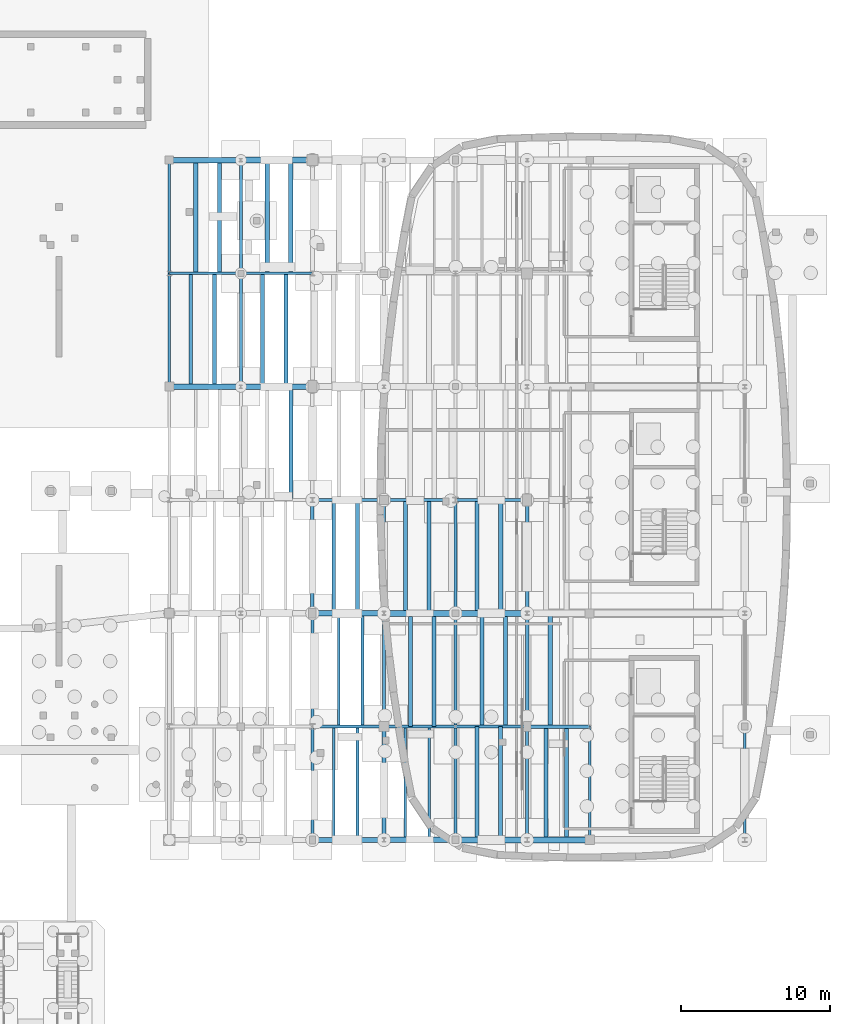
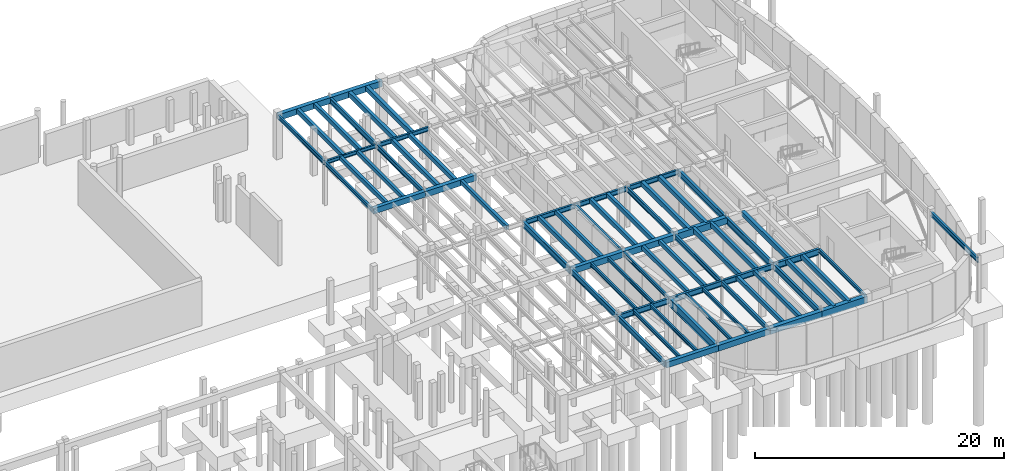
# One storey, part 29 of 45: 68 beams.
"""IFC4 building model written with IfcOpenShell, lengths in metres."""

from ifc_helpers import new_model, si_unit, direction, frame, origin, origin_2d, place, context, subcontext, project, spatial, rectangle, i_section, extrude, material, material_profile, profile_set, type_object, element, save


model = new_model("IFC4")

# Units and contexts
model_context = context("Model", 3, precision=1e-05, world=origin(), true_north=direction((0.0, 1.0)))
body_context = subcontext(model_context, "Body", "Model", "MODEL_VIEW")
ifc_project = project(units=[si_unit("LENGTHUNIT", "METRE"), si_unit("AREAUNIT", "SQUARE_METRE"), si_unit("VOLUMEUNIT", "CUBIC_METRE"), si_unit("PLANEANGLEUNIT", "RADIAN"), si_unit("MASSUNIT", "GRAM", prefix="KILO")], contexts=[model_context])

# Site, building, storey
site_placement = place(None, origin())
site = spatial("IfcSite", under=ifc_project, at=site_placement, CompositionType="ELEMENT")
building_placement = place(site_placement, origin())
building = spatial("IfcBuilding", under=site, at=building_placement, Name="Corveleigh Park Community Centre", CompositionType="ELEMENT")
storey_placement = place(building_placement, frame((0.0, 0.0, -4.199951171875)))
storey = spatial("IfcBuildingStorey", under=building, at=storey_placement, Name="B1", CompositionType="ELEMENT", Elevation=-4.199951171875)

# Beams
ifc_material_1 = material(Name="Concrete C40/50", Category="concrete")
ifc_material_profile_1 = material_profile(ifc_material_1, rectangle(XDim=0.25, YDim=0.39990234375, at=origin_2d()), Name="RC-250x400", Category="concrete")
ifc_profile_set_1 = profile_set([ifc_material_profile_1], Name="Concrete C40/50")
beam_type_1 = type_object("IfcBeamType", Name="BM-RC-250x400", PredefinedType="JOIST", material=ifc_profile_set_1)
for number, where, z_axis, x_axis, name in (
    (1, (131.239990234375, 89.0048828125, 3.681884765625), (0.0, 1.0, 0.0), (-1.0, 0.0, 0.0), "Secondary floor joist"),
    (2, (132.823974609375, 89.0048828125, 3.681884765625), (0.0, 1.0, 0.0), (-1.0, 0.0, 0.0), "Secondary floor joist"),
    (3, (137.9599609375, 81.405029296875, 3.681884765625), (0.0, 1.0, 0.0), (-1.0, 0.0, 0.0), "Secondary floor joist"),
    (4, (140.840087890625, 73.804931640625, 3.681884765625), (0.0, 1.0, 0.0), (-1.0, 0.0, 0.0), "Secondary floor joist"),
    (5, (142.424072265625, 73.804931640625, 3.681884765625), (0.0, 1.0, 0.0), (-1.0, 0.0, 0.0), "Secondary floor joist"),
):
    element("IfcBeam", number, at=place(storey_placement, frame(where, z_axis=z_axis, x_axis=x_axis)), inside=storey, type_object=beam_type_1, Name=name, PredefinedType="JOIST", context=body_context, shape_type="SweptSolid", body=[
        extrude(rectangle(XDim=0.25, YDim=0.39990234375, at=origin_2d()), origin(), (0.0, 0.0, 1.0), 7.590087890625),
    ])
for number, where, z_axis, x_axis, name in (
    (6, (145.97607421875, 66.205078125, 3.681884765625), (0.0, 1.0, 0.0), (-1.0, 0.0, 0.0), "Secondary floor joist"),
    (7, (147.56005859375, 66.205078125, 3.681884765625), (0.0, 1.0, 0.0), (-1.0, 0.0, 0.0), "Secondary floor joist"),
):
    element("IfcBeam", number, at=place(storey_placement, frame(where, z_axis=z_axis, x_axis=x_axis)), inside=storey, type_object=beam_type_1, Name=name, PredefinedType="JOIST", context=body_context, shape_type="SweptSolid", body=[
        extrude(rectangle(XDim=0.25, YDim=0.39990234375, at=origin_2d()), origin(), (0.0, 0.0, 1.0), 7.58984375),
    ])
for number, where, z_axis, x_axis, name in (
    (8, (150.43994140625, 58.60498046875, 3.681884765625), (0.0, 1.0, 0.0), (-1.0, 0.0, 0.0), "Secondary floor joist"),
    (9, (152.02392578125, 58.60498046875, 3.681884765625), (0.0, 1.0, 0.0), (-1.0, 0.0, 0.0), "Secondary floor joist"),
):
    element("IfcBeam", number, at=place(storey_placement, frame(where, z_axis=z_axis, x_axis=x_axis)), inside=storey, type_object=beam_type_1, Name=name, PredefinedType="JOIST", context=body_context, shape_type="SweptSolid", body=[
        extrude(rectangle(XDim=0.25, YDim=0.39990234375, at=origin_2d()), origin(), (0.0, 0.0, 1.0), 7.590087890625),
    ])
ifc_material_profile_2 = material_profile(ifc_material_1, rectangle(XDim=0.27490234375, YDim=0.425048828125, at=origin_2d()), Name="RC-275x425", Category="concrete")
ifc_profile_set_2 = profile_set([ifc_material_profile_2], Name="Concrete C40/50")
beam_type_2 = type_object("IfcBeamType", Name="BM-RC-275x425", PredefinedType="JOIST", material=ifc_profile_set_2)
for number, where, z_axis, x_axis, name in (
    (10, (131.575927734375, 96.60498046875, 3.66943359375), (0.0, 1.0, 0.0), (-1.0, 0.0, 0.0), "Secondary floor joist"),
    (11, (133.159912109375, 96.60498046875, 3.66943359375), (0.0, 1.0, 0.0), (-1.0, 0.0, 0.0), "Secondary floor joist"),
    (12, (136.0400390625, 89.0048828125, 3.66943359375), (0.0, 1.0, 0.0), (-1.0, 0.0, 0.0), "Secondary floor joist"),
    (13, (137.6240234375, 89.0048828125, 3.66943359375), (0.0, 1.0, 0.0), (-1.0, 0.0, 0.0), "Secondary floor joist"),
    (14, (145.639892578125, 73.804931640625, 3.66943359375), (0.0, 1.0, 0.0), (-1.0, 0.0, 0.0), "Secondary floor joist"),
    (15, (147.22412109375, 73.804931640625, 3.66943359375), (0.0, 1.0, 0.0), (-1.0, 0.0, 0.0), "Secondary floor joist"),
):
    element("IfcBeam", number, at=place(storey_placement, frame(where, z_axis=z_axis, x_axis=x_axis)), inside=storey, type_object=beam_type_2, Name=name, PredefinedType="JOIST", context=body_context, shape_type="SweptSolid", body=[
        extrude(rectangle(XDim=0.27490234375, YDim=0.425048828125, at=origin_2d()), origin(), (0.0, 0.0, 1.0), 7.590087890625),
    ])
for number, where, z_axis, x_axis, name in (
    (16, (150.77587890625, 66.205078125, 3.66943359375), (0.0, 1.0, 0.0), (-1.0, 0.0, 0.0), "Secondary floor joist"),
    (17, (152.360107421875, 66.205078125, 3.66943359375), (0.0, 1.0, 0.0), (-1.0, 0.0, 0.0), "Secondary floor joist"),
):
    element("IfcBeam", number, at=place(storey_placement, frame(where, z_axis=z_axis, x_axis=x_axis)), inside=storey, type_object=beam_type_2, Name=name, PredefinedType="JOIST", context=body_context, shape_type="SweptSolid", body=[
        extrude(rectangle(XDim=0.27490234375, YDim=0.425048828125, at=origin_2d()), origin(), (0.0, 0.0, 1.0), 7.58984375),
    ])
for number, where, z_axis, x_axis, name in (
    (18, (155.06005859375, 58.60498046875, 3.66943359375), (0.0, 1.0, 0.0), (-1.0, 0.0, 0.0), "Secondary floor joist"),
    (19, (156.446044921875, 58.60498046875, 3.66943359375), (0.0, 1.0, 0.0), (-1.0, 0.0, 0.0), "Secondary floor joist"),
):
    element("IfcBeam", number, at=place(storey_placement, frame(where, z_axis=z_axis, x_axis=x_axis)), inside=storey, type_object=beam_type_2, Name=name, PredefinedType="JOIST", context=body_context, shape_type="SweptSolid", body=[
        extrude(rectangle(XDim=0.27490234375, YDim=0.425048828125, at=origin_2d()), origin(), (0.0, 0.0, 1.0), 7.590087890625),
    ])
ifc_material_profile_3 = material_profile(ifc_material_1, rectangle(XDim=0.300048828125, YDim=0.449951171875, at=origin_2d()), Name="RC-300x450", Category="concrete")
ifc_profile_set_3 = profile_set([ifc_material_profile_3], Name="Concrete C40/50")
beam_type_3 = type_object("IfcBeamType", Name="BM-RC-300x450", PredefinedType="JOIST", material=ifc_profile_set_3)
for number, where, z_axis, x_axis, name in (
    (20, (136.3759765625, 96.60498046875, 3.656982421875), (0.0, 1.0, 0.0), (-1.0, 0.0, 0.0), "Secondary floor joist"),
    (21, (137.9599609375, 96.60498046875, 3.656982421875), (0.0, 1.0, 0.0), (-1.0, 0.0, 0.0), "Secondary floor joist"),
    (22, (150.43994140625, 73.804931640625, 3.656982421875), (0.0, 1.0, 0.0), (-1.0, 0.0, 0.0), "Secondary floor joist"),
    (23, (152.02392578125, 73.804931640625, 3.656982421875), (0.0, 1.0, 0.0), (-1.0, 0.0, 0.0), "Secondary floor joist"),
):
    element("IfcBeam", number, at=place(storey_placement, frame(where, z_axis=z_axis, x_axis=x_axis)), inside=storey, type_object=beam_type_3, Name=name, PredefinedType="JOIST", context=body_context, shape_type="SweptSolid", body=[
        extrude(rectangle(XDim=0.300048828125, YDim=0.449951171875, at=origin_2d()), origin(), (0.0, 0.0, 1.0), 7.590087890625),
    ])
beam_1_placement = place(storey_placement, frame((155.35400390625, 66.205078125, 3.656982421875), z_axis=(0.0, 1.0, 0.0), x_axis=(-1.0, 0.0, 0.0)))
element("IfcBeam", 24, at=beam_1_placement, inside=storey, type_object=beam_type_3, Name="Secondary floor joist", PredefinedType="JOIST", context=body_context, shape_type="SweptSolid", body=[
    extrude(rectangle(XDim=0.300048828125, YDim=0.449951171875, at=origin_2d()), origin(), (0.0, 0.0, 1.0), 7.58984375),
])
ifc_material_profile_4 = material_profile(ifc_material_1, rectangle(XDim=0.35009765625, YDim=0.550048828125, at=origin_2d()), Name="RC-350x550", Category="concrete")
ifc_profile_set_4 = profile_set([ifc_material_profile_4], Name="Concrete C40/50")
beam_type_4 = type_object("IfcBeamType", Name="BM-RC-350x550", PredefinedType="BEAM", material=ifc_profile_set_4)
for number, where, z_axis, x_axis, name in (
    (25, (139.405029296875, 58.60009765625, 3.60693359375), (1.0, 0.0, 0.0), (0.0, 1.0, 0.0), "V4 Girder X"),
    (26, (129.804931640625, 89.0, 3.60693359375), (1.0, 0.0, 0.0), (0.0, 1.0, 0.0), "V4 Girder X"),
):
    element("IfcBeam", number, at=place(storey_placement, frame(where, z_axis=z_axis, x_axis=x_axis)), inside=storey, type_object=beam_type_4, Name=name, PredefinedType="BEAM", context=body_context, shape_type="SweptSolid", body=[
        extrude(rectangle(XDim=0.35009765625, YDim=0.550048828125, at=origin_2d()), origin(), (0.0, 0.0, 1.0), 4.7900390625),
    ])
ifc_material_profile_5 = material_profile(ifc_material_1, rectangle(XDim=0.375, YDim=0.574951171875, at=origin_2d()), Name="RC-375x575", Category="concrete")
ifc_profile_set_5 = profile_set([ifc_material_profile_5], Name="Concrete C40/50")
beam_type_5 = type_object("IfcBeamType", Name="BM-RC-375x575", PredefinedType="BEAM", material=ifc_profile_set_5)
for number, where, z_axis, x_axis, name in (
    (27, (144.205078125, 58.60009765625, 3.594482421875), (1.0, 0.0, 0.0), (0.0, 1.0, 0.0), "V4 Girder X"),
    (28, (139.405029296875, 73.800048828125, 3.594482421875), (1.0, 0.0, 0.0), (0.0, 1.0, 0.0), "V4 Girder X"),
    (29, (134.60498046875, 89.0, 3.594482421875), (1.0, 0.0, 0.0), (0.0, 1.0, 0.0), "V4 Girder X"),
    (30, (129.804931640625, 104.199951171875, 3.594482421875), (1.0, 0.0, 0.0), (0.0, 1.0, 0.0), "V4 Girder X"),
):
    element("IfcBeam", number, at=place(storey_placement, frame(where, z_axis=z_axis, x_axis=x_axis)), inside=storey, type_object=beam_type_5, Name=name, PredefinedType="BEAM", context=body_context, shape_type="SweptSolid", body=[
        extrude(rectangle(XDim=0.375, YDim=0.574951171875, at=origin_2d()), origin(), (0.0, 0.0, 1.0), 4.7900390625),
    ])
ifc_material_profile_6 = material_profile(ifc_material_1, rectangle(XDim=0.39990234375, YDim=0.60009765625, at=origin_2d()), Name="RC-400x600", Category="concrete")
ifc_profile_set_6 = profile_set([ifc_material_profile_6], Name="Concrete C40/50")
beam_type_6 = type_object("IfcBeamType", Name="BM-RC-400x600", PredefinedType="BEAM", material=ifc_profile_set_6)
for number, where, z_axis, x_axis, name in (
    (31, (149.0048828125, 58.60009765625, 3.58203125), (1.0, 0.0, 0.0), (0.0, 1.0, 0.0), "V4 Girder X"),
    (32, (144.205078125, 73.800048828125, 3.58203125), (1.0, 0.0, 0.0), (0.0, 1.0, 0.0), "V4 Girder X"),
    (33, (134.60498046875, 104.199951171875, 3.58203125), (1.0, 0.0, 0.0), (0.0, 1.0, 0.0), "V4 Girder X"),
):
    element("IfcBeam", number, at=place(storey_placement, frame(where, z_axis=z_axis, x_axis=x_axis)), inside=storey, type_object=beam_type_6, Name=name, PredefinedType="BEAM", context=body_context, shape_type="SweptSolid", body=[
        extrude(rectangle(XDim=0.39990234375, YDim=0.60009765625, at=origin_2d()), origin(), (0.0, 0.0, 1.0), 4.7900390625),
    ])
ifc_material_profile_7 = material_profile(ifc_material_1, rectangle(XDim=0.39990234375, YDim=0.64990234375, at=origin_2d()), Name="RC-400x650", Category="concrete")
ifc_profile_set_7 = profile_set([ifc_material_profile_7], Name="Concrete C40/50")
beam_type_7 = type_object("IfcBeamType", Name="BM-RC-400x650", PredefinedType="BEAM", material=ifc_profile_set_7)
beam_2_placement = place(storey_placement, frame((153.804931640625, 58.60009765625, 3.556884765625), z_axis=(1.0, 0.0, 0.0), x_axis=(0.0, 1.0, 0.0)))
element("IfcBeam", 34, at=beam_2_placement, inside=storey, type_object=beam_type_7, Name="V4 Girder X", PredefinedType="BEAM", context=body_context, shape_type="SweptSolid", body=[
    extrude(rectangle(XDim=0.39990234375, YDim=0.64990234375, at=origin_2d()), origin(), (0.0, 0.0, 1.0), 4.190185546875),
])
beam_3_placement = place(storey_placement, frame((149.0048828125, 73.800048828125, 3.556884765625), z_axis=(1.0, 0.0, 0.0), x_axis=(0.0, 1.0, 0.0)))
element("IfcBeam", 35, at=beam_3_placement, inside=storey, type_object=beam_type_7, Name="V4 Girder X", PredefinedType="BEAM", context=body_context, shape_type="SweptSolid", body=[
    extrude(rectangle(XDim=0.39990234375, YDim=0.64990234375, at=origin_2d()), origin(), (0.0, 0.0, 1.0), 4.7900390625),
])
ifc_material_2 = material(Name="Steel S355", Category="steel")
ifc_material_profile_8 = material_profile(ifc_material_2, i_section(OverallWidth=0.171142578125, OverallDepth=0.351318359375, WebThickness=0.007080078125, FlangeThickness=0.009765625, at=origin_2d()), Name="UKB 356x171x45", Category="steel")
ifc_profile_set_8 = profile_set([ifc_material_profile_8], Name="Steel S355")
beam_type_8 = type_object("IfcBeamType", Name="BM-STL-UKB356x45", PredefinedType="JOIST", material=ifc_profile_set_8)
for number, where, z_axis, x_axis, name in (
    (36, (140.840087890625, 58.60498046875, 3.706298828125), (0.0, 1.0, 0.0), (-1.0, 0.0, 0.0), "Secondary floor joist"),
    (37, (142.424072265625, 58.60498046875, 3.706298828125), (0.0, 1.0, 0.0), (-1.0, 0.0, 0.0), "Secondary floor joist"),
):
    element("IfcBeam", number, at=place(storey_placement, frame(where, z_axis=z_axis, x_axis=x_axis)), inside=storey, type_object=beam_type_8, Name=name, PredefinedType="JOIST", context=body_context, shape_type="SweptSolid", body=[
        extrude(i_section(OverallWidth=0.171142578125, OverallDepth=0.351318359375, WebThickness=0.007080078125, FlangeThickness=0.009765625, at=origin_2d()), origin(), (0.0, 0.0, 1.0), 7.590087890625),
    ])
ifc_material_profile_9 = material_profile(ifc_material_2, i_section(OverallWidth=0.17138671875, OverallDepth=0.35498046875, WebThickness=0.00732421875, FlangeThickness=0.011474609375, at=origin_2d()), Name="UKB 356x171x51", Category="steel")
ifc_profile_set_9 = profile_set([ifc_material_profile_9], Name="Steel S355")
beam_type_9 = type_object("IfcBeamType", Name="BM-STL-UKB356x51", PredefinedType="JOIST", material=ifc_profile_set_9)
for number, where, z_axis, x_axis, name in (
    (38, (141.176025390625, 66.205078125, 3.704345703125), (0.0, 1.0, 0.0), (-1.0, 0.0, 0.0), "Secondary floor joist"),
    (39, (142.760009765625, 66.205078125, 3.704345703125), (0.0, 1.0, 0.0), (-1.0, 0.0, 0.0), "Secondary floor joist"),
):
    element("IfcBeam", number, at=place(storey_placement, frame(where, z_axis=z_axis, x_axis=x_axis)), inside=storey, type_object=beam_type_9, Name=name, PredefinedType="JOIST", context=body_context, shape_type="SweptSolid", body=[
        extrude(i_section(OverallWidth=0.17138671875, OverallDepth=0.35498046875, WebThickness=0.00732421875, FlangeThickness=0.011474609375, at=origin_2d()), origin(), (0.0, 0.0, 1.0), 7.58984375),
    ])
for number, where, z_axis, x_axis, name in (
    (40, (145.639892578125, 58.60498046875, 3.704345703125), (0.0, 1.0, 0.0), (-1.0, 0.0, 0.0), "Secondary floor joist"),
    (41, (147.22412109375, 58.60498046875, 3.704345703125), (0.0, 1.0, 0.0), (-1.0, 0.0, 0.0), "Secondary floor joist"),
):
    element("IfcBeam", number, at=place(storey_placement, frame(where, z_axis=z_axis, x_axis=x_axis)), inside=storey, type_object=beam_type_9, Name=name, PredefinedType="JOIST", context=body_context, shape_type="SweptSolid", body=[
        extrude(i_section(OverallWidth=0.17138671875, OverallDepth=0.35498046875, WebThickness=0.00732421875, FlangeThickness=0.011474609375, at=origin_2d()), origin(), (0.0, 0.0, 1.0), 7.590087890625),
    ])
ifc_material_profile_10 = material_profile(ifc_material_2, i_section(OverallWidth=0.172119140625, OverallDepth=0.35791015625, WebThickness=0.008056640625, FlangeThickness=0.012939453125, at=origin_2d()), Name="UKB 356x171x57", Category="steel")
ifc_profile_set_10 = profile_set([ifc_material_profile_10], Name="Steel S355")
beam_type_10 = type_object("IfcBeamType", Name="BM-STL-UKB356x57", PredefinedType="BEAM", material=ifc_profile_set_10)
beam_4_placement = place(storey_placement, frame((144.199951171875, 66.205078125, 3.702880859375), z_axis=(0.0, 1.0, 0.0), x_axis=(-1.0, 0.0, 0.0)))
element("IfcBeam", 42, at=beam_4_placement, inside=storey, type_object=beam_type_10, Name="V4 Girder Y", PredefinedType="BEAM", context=body_context, shape_type="SweptSolid", body=[
    extrude(i_section(OverallWidth=0.172119140625, OverallDepth=0.35791015625, WebThickness=0.008056640625, FlangeThickness=0.012939453125, at=origin_2d()), origin(), (0.0, 0.0, 1.0), 7.58984375),
])
beam_5_placement = place(storey_placement, frame((158.0, 58.60498046875, 3.702880859375), z_axis=(0.0, 1.0, 0.0), x_axis=(-1.0, 0.0, 0.0)))
element("IfcBeam", 43, at=beam_5_placement, inside=storey, type_object=beam_type_10, Name="V4 Girder Y", PredefinedType="BEAM", context=body_context, shape_type="SweptSolid", body=[
    extrude(i_section(OverallWidth=0.172119140625, OverallDepth=0.35791015625, WebThickness=0.008056640625, FlangeThickness=0.012939453125, at=origin_2d()), origin(), (0.0, 0.0, 1.0), 7.590087890625),
])
ifc_material_profile_11 = material_profile(ifc_material_2, i_section(OverallWidth=0.173095703125, OverallDepth=0.36328125, WebThickness=0.009033203125, FlangeThickness=0.015625, at=origin_2d()), Name="UKB 356x171x67", Category="steel")
ifc_profile_set_11 = profile_set([ifc_material_profile_11], Name="Steel S355")
beam_type_11 = type_object("IfcBeamType", Name="BM-STL-UKB356x67", PredefinedType="BEAM", material=ifc_profile_set_11)
beam_6_placement = place(storey_placement, frame((129.804931640625, 96.60009765625, 3.7001953125), z_axis=(1.0, 0.0, 0.0), x_axis=(0.0, 1.0, 0.0)))
element("IfcBeam", 44, at=beam_6_placement, inside=storey, type_object=beam_type_11, Name="V4 Girder X", PredefinedType="BEAM", context=body_context, shape_type="SweptSolid", body=[
    extrude(i_section(OverallWidth=0.173095703125, OverallDepth=0.36328125, WebThickness=0.009033203125, FlangeThickness=0.015625, at=origin_2d()), origin(), (0.0, 0.0, 1.0), 4.7900390625),
])
beam_7_placement = place(storey_placement, frame((144.199951171875, 73.804931640625, 3.7001953125), z_axis=(0.0, 1.0, 0.0), x_axis=(-1.0, 0.0, 0.0)))
element("IfcBeam", 45, at=beam_7_placement, inside=storey, type_object=beam_type_11, Name="V4 Girder Y", PredefinedType="BEAM", context=body_context, shape_type="SweptSolid", body=[
    extrude(i_section(OverallWidth=0.173095703125, OverallDepth=0.36328125, WebThickness=0.009033203125, FlangeThickness=0.015625, at=origin_2d()), origin(), (0.0, 0.0, 1.0), 7.590087890625),
])
ifc_material_profile_12 = material_profile(ifc_material_2, i_section(OverallWidth=0.177978515625, OverallDepth=0.406494140625, WebThickness=0.0078125, FlangeThickness=0.0126953125, at=origin_2d()), Name="UKB 406x178x60", Category="steel")
ifc_profile_set_12 = profile_set([ifc_material_profile_12], Name="Steel S355")
beam_type_12 = type_object("IfcBeamType", Name="BM-STL-UKB406x60", PredefinedType="BEAM", material=ifc_profile_set_12)
beam_8_placement = place(storey_placement, frame((134.60498046875, 96.60009765625, 3.6787109375), z_axis=(1.0, 0.0, 0.0), x_axis=(0.0, 1.0, 0.0)))
element("IfcBeam", 46, at=beam_8_placement, inside=storey, type_object=beam_type_12, Name="V4 Girder X", PredefinedType="BEAM", context=body_context, shape_type="SweptSolid", body=[
    extrude(i_section(OverallWidth=0.177978515625, OverallDepth=0.406494140625, WebThickness=0.0078125, FlangeThickness=0.0126953125, at=origin_2d()), origin(), (0.0, 0.0, 1.0), 4.7900390625),
])
beam_9_placement = place(storey_placement, frame((129.800048828125, 89.0048828125, 3.6787109375), z_axis=(0.0, 1.0, 0.0), x_axis=(-1.0, 0.0, 0.0)))
element("IfcBeam", 47, at=beam_9_placement, inside=storey, type_object=beam_type_12, Name="V4 Girder Y", PredefinedType="BEAM", context=body_context, shape_type="SweptSolid", body=[
    extrude(i_section(OverallWidth=0.177978515625, OverallDepth=0.406494140625, WebThickness=0.0078125, FlangeThickness=0.0126953125, at=origin_2d()), origin(), (0.0, 0.0, 1.0), 7.590087890625),
])
ifc_material_profile_13 = material_profile(ifc_material_2, i_section(OverallWidth=0.1787109375, OverallDepth=0.409423828125, WebThickness=0.0087890625, FlangeThickness=0.014404296875, at=origin_2d()), Name="UKB 406x178x67", Category="steel")
ifc_profile_set_13 = profile_set([ifc_material_profile_13], Name="Steel S355")
beam_type_13 = type_object("IfcBeamType", Name="BM-STL-UKB406x67", PredefinedType="BEAM", material=ifc_profile_set_13)
beam_10_placement = place(storey_placement, frame((129.800048828125, 96.60498046875, 3.67724609375), z_axis=(0.0, 1.0, 0.0), x_axis=(-1.0, 0.0, 0.0)))
element("IfcBeam", 48, at=beam_10_placement, inside=storey, type_object=beam_type_13, Name="V4 Girder Y", PredefinedType="BEAM", context=body_context, shape_type="SweptSolid", body=[
    extrude(i_section(OverallWidth=0.1787109375, OverallDepth=0.409423828125, WebThickness=0.0087890625, FlangeThickness=0.014404296875, at=origin_2d()), origin(), (0.0, 0.0, 1.0), 7.590087890625),
])
ifc_material_profile_14 = material_profile(ifc_material_2, i_section(OverallWidth=0.18994140625, OverallDepth=0.453369140625, WebThickness=0.008544921875, FlangeThickness=0.0126953125, at=origin_2d()), Name="UKB 457x191x67", Category="steel")
ifc_profile_set_14 = profile_set([ifc_material_profile_14], Name="Steel S355")
beam_type_14 = type_object("IfcBeamType", Name="BM-STL-UKB457x67", PredefinedType="BEAM", material=ifc_profile_set_14)
beam_11_placement = place(storey_placement, frame((149.0, 58.60498046875, 3.6552734375), z_axis=(0.0, 1.0, 0.0), x_axis=(-1.0, 0.0, 0.0)))
element("IfcBeam", 49, at=beam_11_placement, inside=storey, type_object=beam_type_14, Name="V4 Girder Y", PredefinedType="BEAM", context=body_context, shape_type="SweptSolid", body=[
    extrude(i_section(OverallWidth=0.18994140625, OverallDepth=0.453369140625, WebThickness=0.008544921875, FlangeThickness=0.0126953125, at=origin_2d()), origin(), (0.0, 0.0, 1.0), 7.590087890625),
])
ifc_material_profile_15 = material_profile(ifc_material_2, i_section(OverallWidth=0.1904296875, OverallDepth=0.45703125, WebThickness=0.009033203125, FlangeThickness=0.014404296875, at=origin_2d()), Name="UKB 457x191x74", Category="steel")
ifc_profile_set_15 = profile_set([ifc_material_profile_15], Name="Steel S355")
beam_type_15 = type_object("IfcBeamType", Name="BM-STL-UKB457x74", PredefinedType="BEAM", material=ifc_profile_set_15)
beam_12_placement = place(storey_placement, frame((139.405029296875, 81.39990234375, 3.653564453125), z_axis=(1.0, 0.0, 0.0), x_axis=(0.0, 1.0, 0.0)))
element("IfcBeam", 50, at=beam_12_placement, inside=storey, type_object=beam_type_15, Name="V4 Girder X", PredefinedType="BEAM", context=body_context, shape_type="SweptSolid", body=[
    extrude(i_section(OverallWidth=0.1904296875, OverallDepth=0.45703125, WebThickness=0.009033203125, FlangeThickness=0.014404296875, at=origin_2d()), origin(), (0.0, 0.0, 1.0), 4.7900390625),
])
beam_13_placement = place(storey_placement, frame((149.0, 66.205078125, 3.653564453125), z_axis=(0.0, 1.0, 0.0), x_axis=(-1.0, 0.0, 0.0)))
element("IfcBeam", 51, at=beam_13_placement, inside=storey, type_object=beam_type_15, Name="V4 Girder Y", PredefinedType="BEAM", context=body_context, shape_type="SweptSolid", body=[
    extrude(i_section(OverallWidth=0.1904296875, OverallDepth=0.45703125, WebThickness=0.009033203125, FlangeThickness=0.014404296875, at=origin_2d()), origin(), (0.0, 0.0, 1.0), 7.58984375),
])
beam_14_placement = place(storey_placement, frame((168.39990234375, 58.60498046875, 3.653564453125), z_axis=(0.0, 1.0, 0.0), x_axis=(-1.0, 0.0, 0.0)))
element("IfcBeam", 52, at=beam_14_placement, inside=storey, type_object=beam_type_15, Name="V4 Girder Y", PredefinedType="BEAM", context=body_context, shape_type="SweptSolid", body=[
    extrude(i_section(OverallWidth=0.1904296875, OverallDepth=0.45703125, WebThickness=0.009033203125, FlangeThickness=0.014404296875, at=origin_2d()), origin(), (0.0, 0.0, 1.0), 7.590087890625),
])
ifc_material_profile_16 = material_profile(ifc_material_2, i_section(OverallWidth=0.19140625, OverallDepth=0.4599609375, WebThickness=0.010009765625, FlangeThickness=0.01611328125, at=origin_2d()), Name="UKB 457x191x82", Category="steel")
ifc_profile_set_16 = profile_set([ifc_material_profile_16], Name="Steel S355")
beam_type_16 = type_object("IfcBeamType", Name="BM-STL-UKB457x82", PredefinedType="BEAM", material=ifc_profile_set_16)
beam_15_placement = place(storey_placement, frame((144.205078125, 81.39990234375, 3.65185546875), z_axis=(1.0, 0.0, 0.0), x_axis=(0.0, 1.0, 0.0)))
element("IfcBeam", 53, at=beam_15_placement, inside=storey, type_object=beam_type_16, Name="V4 Girder X", PredefinedType="BEAM", context=body_context, shape_type="SweptSolid", body=[
    extrude(i_section(OverallWidth=0.19140625, OverallDepth=0.4599609375, WebThickness=0.010009765625, FlangeThickness=0.01611328125, at=origin_2d()), origin(), (0.0, 0.0, 1.0), 4.7900390625),
])
beam_16_placement = place(storey_placement, frame((149.0, 73.804931640625, 3.65185546875), z_axis=(0.0, 1.0, 0.0), x_axis=(-1.0, 0.0, 0.0)))
element("IfcBeam", 54, at=beam_16_placement, inside=storey, type_object=beam_type_16, Name="V4 Girder Y", PredefinedType="BEAM", context=body_context, shape_type="SweptSolid", body=[
    extrude(i_section(OverallWidth=0.19140625, OverallDepth=0.4599609375, WebThickness=0.010009765625, FlangeThickness=0.01611328125, at=origin_2d()), origin(), (0.0, 0.0, 1.0), 7.590087890625),
])
ifc_material_profile_17 = material_profile(ifc_material_2, i_section(OverallWidth=0.19189453125, OverallDepth=0.46337890625, WebThickness=0.010498046875, FlangeThickness=0.017578125, at=origin_2d()), Name="UKB 457x191x89", Category="steel")
ifc_profile_set_17 = profile_set([ifc_material_profile_17], Name="Steel S355")
beam_type_17 = type_object("IfcBeamType", Name="BM-STL-UKB457x89", PredefinedType="BEAM", material=ifc_profile_set_17)
beam_17_placement = place(storey_placement, frame((149.0048828125, 81.39990234375, 3.650146484375), z_axis=(1.0, 0.0, 0.0), x_axis=(0.0, 1.0, 0.0)))
element("IfcBeam", 55, at=beam_17_placement, inside=storey, type_object=beam_type_17, Name="V4 Girder X", PredefinedType="BEAM", context=body_context, shape_type="SweptSolid", body=[
    extrude(i_section(OverallWidth=0.19189453125, OverallDepth=0.46337890625, WebThickness=0.010498046875, FlangeThickness=0.017578125, at=origin_2d()), origin(), (0.0, 0.0, 1.0), 4.7900390625),
])
beam_18_placement = place(storey_placement, frame((134.60009765625, 89.0048828125, 3.650146484375), z_axis=(0.0, 1.0, 0.0), x_axis=(-1.0, 0.0, 0.0)))
element("IfcBeam", 56, at=beam_18_placement, inside=storey, type_object=beam_type_17, Name="V4 Girder Y", PredefinedType="BEAM", context=body_context, shape_type="SweptSolid", body=[
    extrude(i_section(OverallWidth=0.19189453125, OverallDepth=0.46337890625, WebThickness=0.010498046875, FlangeThickness=0.017578125, at=origin_2d()), origin(), (0.0, 0.0, 1.0), 7.590087890625),
])
ifc_material_profile_18 = material_profile(ifc_material_2, i_section(OverallWidth=0.2099609375, OverallDepth=0.53662109375, WebThickness=0.0107421875, FlangeThickness=0.017333984375, at=origin_2d()), Name="UKB 533x210x101", Category="steel")
ifc_profile_set_18 = profile_set([ifc_material_profile_18], Name="Steel S355")
beam_type_18 = type_object("IfcBeamType", Name="BM-STL-UKB533x101", PredefinedType="BEAM", material=ifc_profile_set_18)
beam_19_placement = place(storey_placement, frame((144.205078125, 66.199951171875, 3.61376953125), z_axis=(1.0, 0.0, 0.0), x_axis=(0.0, 1.0, 0.0)))
element("IfcBeam", 57, at=beam_19_placement, inside=storey, type_object=beam_type_18, Name="V4 Girder X", PredefinedType="BEAM", context=body_context, shape_type="SweptSolid", body=[
    extrude(i_section(OverallWidth=0.2099609375, OverallDepth=0.53662109375, WebThickness=0.0107421875, FlangeThickness=0.017333984375, at=origin_2d()), origin(), (0.0, 0.0, 1.0), 4.7900390625),
])
beam_20_placement = place(storey_placement, frame((139.39990234375, 58.60498046875, 3.61376953125), z_axis=(0.0, 1.0, 0.0), x_axis=(-1.0, 0.0, 0.0)))
element("IfcBeam", 58, at=beam_20_placement, inside=storey, type_object=beam_type_18, Name="V4 Girder Y", PredefinedType="BEAM", context=body_context, shape_type="SweptSolid", body=[
    extrude(i_section(OverallWidth=0.2099609375, OverallDepth=0.53662109375, WebThickness=0.0107421875, FlangeThickness=0.017333984375, at=origin_2d()), origin(), (0.0, 0.0, 1.0), 7.590087890625),
])
ifc_material_profile_19 = material_profile(ifc_material_2, i_section(OverallWidth=0.210693359375, OverallDepth=0.53955078125, WebThickness=0.01171875, FlangeThickness=0.018798828125, at=origin_2d()), Name="UKB 533x210x109", Category="steel")
ifc_profile_set_19 = profile_set([ifc_material_profile_19], Name="Steel S355")
beam_type_19 = type_object("IfcBeamType", Name="BM-STL-UKB533x109", PredefinedType="BEAM", material=ifc_profile_set_19)
beam_21_placement = place(storey_placement, frame((149.0048828125, 66.199951171875, 3.6123046875), z_axis=(1.0, 0.0, 0.0), x_axis=(0.0, 1.0, 0.0)))
element("IfcBeam", 59, at=beam_21_placement, inside=storey, type_object=beam_type_19, Name="V4 Girder X", PredefinedType="BEAM", context=body_context, shape_type="SweptSolid", body=[
    extrude(i_section(OverallWidth=0.210693359375, OverallDepth=0.53955078125, WebThickness=0.01171875, FlangeThickness=0.018798828125, at=origin_2d()), origin(), (0.0, 0.0, 1.0), 4.7900390625),
])
beam_22_placement = place(storey_placement, frame((139.39990234375, 66.205078125, 3.6123046875), z_axis=(0.0, 1.0, 0.0), x_axis=(-1.0, 0.0, 0.0)))
element("IfcBeam", 60, at=beam_22_placement, inside=storey, type_object=beam_type_19, Name="V4 Girder Y", PredefinedType="BEAM", context=body_context, shape_type="SweptSolid", body=[
    extrude(i_section(OverallWidth=0.210693359375, OverallDepth=0.53955078125, WebThickness=0.01171875, FlangeThickness=0.018798828125, at=origin_2d()), origin(), (0.0, 0.0, 1.0), 7.58984375),
])
beam_23_placement = place(storey_placement, frame((153.800048828125, 58.60498046875, 3.6123046875), z_axis=(0.0, 1.0, 0.0), x_axis=(-1.0, 0.0, 0.0)))
element("IfcBeam", 61, at=beam_23_placement, inside=storey, type_object=beam_type_19, Name="V4 Girder Y", PredefinedType="BEAM", context=body_context, shape_type="SweptSolid", body=[
    extrude(i_section(OverallWidth=0.210693359375, OverallDepth=0.53955078125, WebThickness=0.01171875, FlangeThickness=0.018798828125, at=origin_2d()), origin(), (0.0, 0.0, 1.0), 7.590087890625),
])
ifc_material_profile_20 = material_profile(ifc_material_2, i_section(OverallWidth=0.209228515625, OverallDepth=0.533203125, WebThickness=0.010009765625, FlangeThickness=0.015625, at=origin_2d()), Name="UKB 533x210x92", Category="steel")
ifc_profile_set_20 = profile_set([ifc_material_profile_20], Name="Steel S355")
beam_type_20 = type_object("IfcBeamType", Name="BM-STL-UKB533x92", PredefinedType="BEAM", material=ifc_profile_set_20)
beam_24_placement = place(storey_placement, frame((139.405029296875, 66.199951171875, 3.615234375), z_axis=(1.0, 0.0, 0.0), x_axis=(0.0, 1.0, 0.0)))
element("IfcBeam", 62, at=beam_24_placement, inside=storey, type_object=beam_type_20, Name="V4 Girder X", PredefinedType="BEAM", context=body_context, shape_type="SweptSolid", body=[
    extrude(i_section(OverallWidth=0.209228515625, OverallDepth=0.533203125, WebThickness=0.010009765625, FlangeThickness=0.015625, at=origin_2d()), origin(), (0.0, 0.0, 1.0), 4.7900390625),
])
beam_25_placement = place(storey_placement, frame((134.60009765625, 96.60498046875, 3.615234375), z_axis=(0.0, 1.0, 0.0), x_axis=(-1.0, 0.0, 0.0)))
element("IfcBeam", 63, at=beam_25_placement, inside=storey, type_object=beam_type_20, Name="V4 Girder Y", PredefinedType="BEAM", context=body_context, shape_type="SweptSolid", body=[
    extrude(i_section(OverallWidth=0.209228515625, OverallDepth=0.533203125, WebThickness=0.010009765625, FlangeThickness=0.015625, at=origin_2d()), origin(), (0.0, 0.0, 1.0), 7.590087890625),
])
ifc_material_profile_21 = material_profile(ifc_material_2, i_section(OverallWidth=0.228271484375, OverallDepth=0.607666015625, WebThickness=0.010986328125, FlangeThickness=0.017333984375, at=origin_2d()), Name="UKB 610x229x113", Category="steel")
ifc_profile_set_21 = profile_set([ifc_material_profile_21], Name="Steel S355")
beam_type_21 = type_object("IfcBeamType", Name="BM-STL-UKB610x113", PredefinedType="BEAM", material=ifc_profile_set_21)
beam_26_placement = place(storey_placement, frame((153.804931640625, 66.199951171875, 3.578125), z_axis=(1.0, 0.0, 0.0), x_axis=(0.0, 1.0, 0.0)))
element("IfcBeam", 64, at=beam_26_placement, inside=storey, type_object=beam_type_21, Name="V4 Girder X", PredefinedType="BEAM", context=body_context, shape_type="SweptSolid", body=[
    extrude(i_section(OverallWidth=0.228271484375, OverallDepth=0.607666015625, WebThickness=0.010986328125, FlangeThickness=0.017333984375, at=origin_2d()), origin(), (0.0, 0.0, 1.0), 4.190185546875),
])
beam_27_placement = place(storey_placement, frame((139.39990234375, 73.804931640625, 3.578125), z_axis=(0.0, 1.0, 0.0), x_axis=(-1.0, 0.0, 0.0)))
element("IfcBeam", 65, at=beam_27_placement, inside=storey, type_object=beam_type_21, Name="V4 Girder Y", PredefinedType="BEAM", context=body_context, shape_type="SweptSolid", body=[
    extrude(i_section(OverallWidth=0.228271484375, OverallDepth=0.607666015625, WebThickness=0.010986328125, FlangeThickness=0.017333984375, at=origin_2d()), origin(), (0.0, 0.0, 1.0), 7.590087890625),
])
beam_28_placement = place(storey_placement, frame((153.800048828125, 66.205078125, 3.578125), z_axis=(0.0, 1.0, 0.0), x_axis=(-1.0, 0.0, 0.0)))
element("IfcBeam", 66, at=beam_28_placement, inside=storey, type_object=beam_type_21, Name="V4 Girder Y", PredefinedType="BEAM", context=body_context, shape_type="SweptSolid", body=[
    extrude(i_section(OverallWidth=0.228271484375, OverallDepth=0.607666015625, WebThickness=0.010986328125, FlangeThickness=0.017333984375, at=origin_2d()), origin(), (0.0, 0.0, 1.0), 7.58984375),
])
ifc_material_profile_22 = material_profile(ifc_material_2, i_section(OverallWidth=0.22900390625, OverallDepth=0.6123046875, WebThickness=0.011962890625, FlangeThickness=0.01953125, at=origin_2d()), Name="UKB 610x229x125", Category="steel")
ifc_profile_set_22 = profile_set([ifc_material_profile_22], Name="Steel S355")
beam_type_22 = type_object("IfcBeamType", Name="BM-STL-UKB610x125", PredefinedType="BEAM", material=ifc_profile_set_22)
beam_29_placement = place(storey_placement, frame((153.800048828125, 73.804931640625, 3.575927734375), z_axis=(0.0, 1.0, 0.0), x_axis=(-1.0, 0.0, 0.0)))
element("IfcBeam", 67, at=beam_29_placement, inside=storey, type_object=beam_type_22, Name="V4 Girder Y", PredefinedType="BEAM", context=body_context, shape_type="SweptSolid", body=[
    extrude(i_section(OverallWidth=0.22900390625, OverallDepth=0.6123046875, WebThickness=0.011962890625, FlangeThickness=0.01953125, at=origin_2d()), origin(), (0.0, 0.0, 1.0), 7.590087890625),
])
ifc_material_profile_23 = material_profile(ifc_material_2, i_section(OverallWidth=0.2666015625, OverallDepth=0.76220703125, WebThickness=0.014404296875, FlangeThickness=0.021484375, at=origin_2d()), Name="UKB 762x267x173", Category="steel")
ifc_profile_set_23 = profile_set([ifc_material_profile_23], Name="Steel S355")
beam_type_23 = type_object("IfcBeamType", Name="BM-STL-UKB762x173", PredefinedType="BEAM", material=ifc_profile_set_23)
beam_30_placement = place(storey_placement, frame((144.199951171875, 58.60498046875, 3.500732421875), z_axis=(0.0, 1.0, 0.0), x_axis=(-1.0, 0.0, 0.0)))
element("IfcBeam", 68, at=beam_30_placement, inside=storey, type_object=beam_type_23, Name="V4 Girder Y", PredefinedType="BEAM", context=body_context, shape_type="SweptSolid", body=[
    extrude(i_section(OverallWidth=0.2666015625, OverallDepth=0.76220703125, WebThickness=0.014404296875, FlangeThickness=0.021484375, at=origin_2d()), origin(), (0.0, 0.0, 1.0), 7.590087890625),
])

save(model, "model.ifc")
